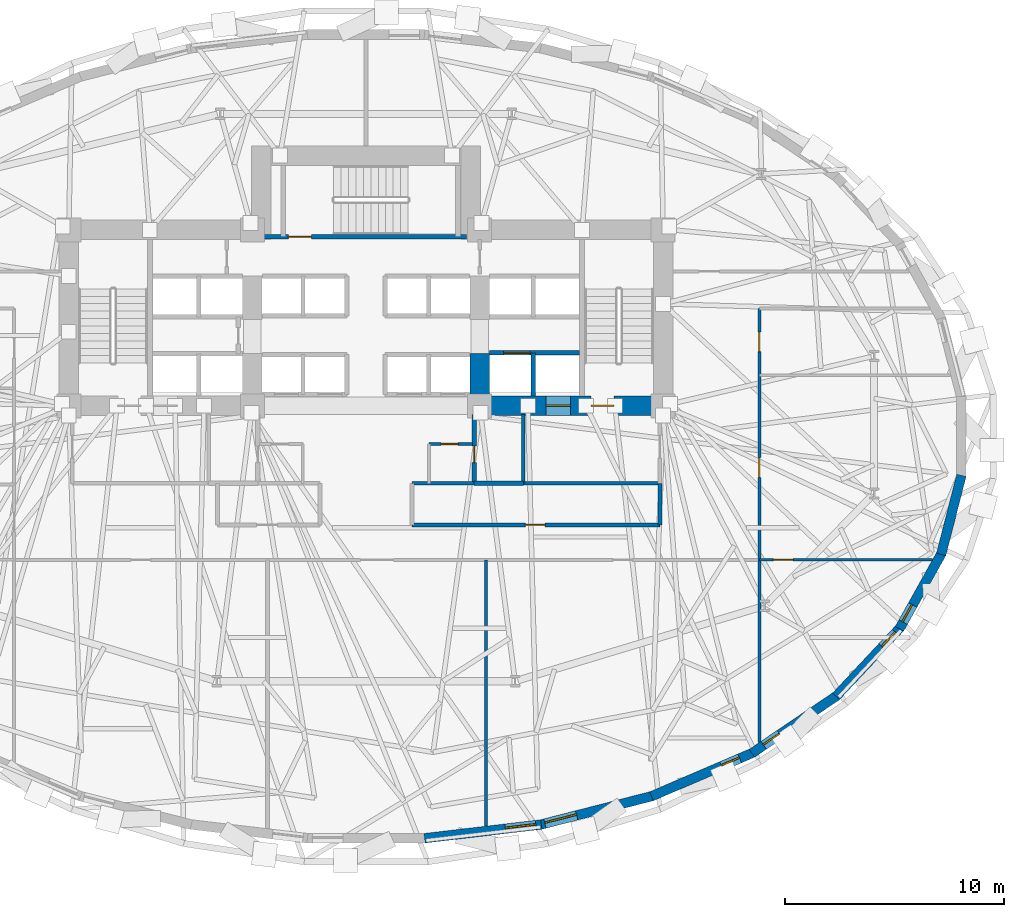
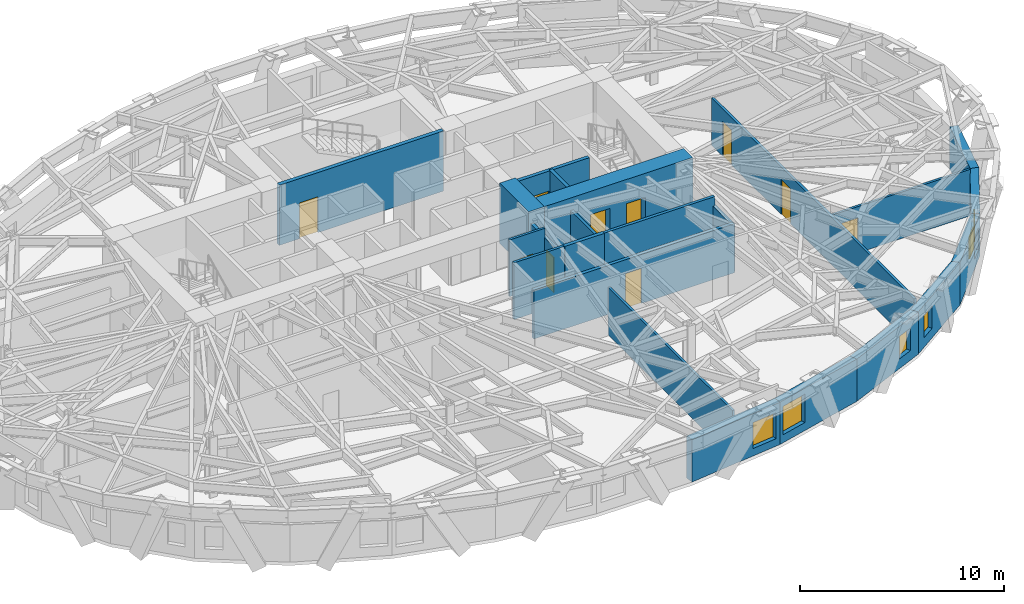
# One storey, part 8 of 14: 23 walls, 10 doors, 6 windows, 16 openings.
"""IFC4 building model written with IfcOpenShell, lengths in metres."""

from ifc_helpers import new_model, si_unit, direction, frame, frame_2d, origin, place, context, subcontext, project, spatial, rectangle, extrude, material, layer, layer_set, type_object, element, fill, save


model = new_model("IFC4")

# Units and contexts
model_context = context("Model", 3, precision=1e-05, world=origin(), true_north=direction((0.0, 1.0)))
body_context = subcontext(model_context, "Body", "Model", "MODEL_VIEW")
ifc_project = project(units=[si_unit("LENGTHUNIT", "METRE"), si_unit("AREAUNIT", "SQUARE_METRE"), si_unit("VOLUMEUNIT", "CUBIC_METRE"), si_unit("PLANEANGLEUNIT", "RADIAN"), si_unit("MASSUNIT", "GRAM", prefix="KILO")], contexts=[model_context])

# Site, building, storey
site_placement = place(None, origin())
site = spatial("IfcSite", under=ifc_project, at=site_placement, CompositionType="ELEMENT")
building_placement = place(site_placement, origin())
building = spatial("IfcBuilding", under=site, at=building_placement, Name="Keldmark Tower", CompositionType="ELEMENT")
storey_placement = place(building_placement, frame((0.0, 0.0, 52.199951171875)))
storey = spatial("IfcBuildingStorey", under=building, at=storey_placement, Name="L13", CompositionType="ELEMENT", Elevation=52.199951171875)

# Wall, openings, doors
ifc_material_1 = material(Name="Acoustic Double-Layer Gypsum Corridor Partition", Category="gypsum")
ifc_layer_1 = layer(ifc_material_1, 0.139892578125)
ifc_layer_set_1 = layer_set([ifc_layer_1], Name="Acoustic Double-Layer Gypsum Corridor Partition")
wall_type_1 = type_object("IfcWallType", Name="Acoustic Corridor Partition 140 mm", PredefinedType="PARTITIONING", material=ifc_layer_set_1)
wall_1_placement = place(storey_placement, frame((18.0, -13.999755859375, 0.0), z_axis=(0.0, 0.0, 1.0), x_axis=(0.0, 1.0, 0.0)))
wall_1 = element("IfcWall", 1, at=wall_1_placement, inside=storey, type_object=wall_type_1, Name="L13 Acoustic Corridor Partition 140 mm COR-E", PredefinedType="PARTITIONING", context=body_context, shape_type="SweptSolid", body=[
    extrude(rectangle(XDim=19.849853515625, YDim=0.139892578125, at=frame_2d((9.9248046875, 0.0))), origin(), (0.0, 0.0, 1.0), 2.841064453125),
])
opening_1_placement = place(wall_1_placement, frame((12.12451171875, 0.0, 0.0)))
opening_1 = element("IfcOpeningElement", 2, at=opening_1_placement, cuts=wall_1, Name="Opening D-IN090", PredefinedType="OPENING", context=body_context, shape_type="SweptSolid", body=[
    extrude(rectangle(XDim=0.89990234375, YDim=2.10009765625, at=frame_2d((0.449951171875, 1.050048828125))), frame((0.0, 0.079833984375, 0.0), z_axis=(0.0, -1.0, 0.0), x_axis=(1.0, 0.0, 0.0)), (0.0, 0.0, 1.0), 0.159912109375),
])
opening_2_placement = place(wall_1_placement, frame((17.87451171875, 0.0, 0.0)))
opening_2 = element("IfcOpeningElement", 3, at=opening_2_placement, cuts=wall_1, Name="Opening D-IN090", PredefinedType="OPENING", context=body_context, shape_type="SweptSolid", body=[
    extrude(rectangle(XDim=0.89990234375, YDim=2.10009765625, at=frame_2d((0.449951171875, 1.050048828125))), frame((0.0, 0.079833984375, 0.0), z_axis=(0.0, -1.0, 0.0), x_axis=(1.0, 0.0, 0.0)), (0.0, 0.0, 1.0), 0.159912109375),
])
ifc_material_2 = material(Name="Stained American White Oak Veneer", Category="wood")
door_type_1 = type_object("IfcDoorType", Name="Interior Door 900x2100", OperationType="NOTDEFINED", PredefinedType="DOOR", material=ifc_material_2)
door_1_placement = place(opening_1_placement, origin())
door_1 = element("IfcDoor", 4, at=door_1_placement, inside=storey, type_object=door_type_1, Name="L13 Interior Door 900x2100 D-ER-1-L13", OperationType="SINGLE_SWING_RIGHT", OverallHeight=2.10009765625, OverallWidth=0.89990234375, PredefinedType="DOOR", context=body_context, shape_type="SweptSolid", body=[
    extrude(rectangle(XDim=0.89990234375, YDim=2.10009765625, at=frame_2d((0.449951171875, 1.050048828125))), frame((0.0, 0.02490234375, 0.0), z_axis=(0.0, -1.0, 0.0), x_axis=(1.0, 0.0, 0.0)), (0.0, 0.0, 1.0), 0.050048828125),
])
fill(opening_1, door_1)
door_2_placement = place(opening_2_placement, origin())
door_2 = element("IfcDoor", 5, at=door_2_placement, inside=storey, type_object=door_type_1, Name="L13 Interior Door 900x2100 D-ER-2-L13", OperationType="SINGLE_SWING_LEFT", OverallHeight=2.10009765625, OverallWidth=0.89990234375, PredefinedType="DOOR", context=body_context, shape_type="SweptSolid", body=[
    extrude(rectangle(XDim=0.89990234375, YDim=2.10009765625, at=frame_2d((0.449951171875, 1.050048828125))), frame((0.0, 0.02490234375, 0.0), z_axis=(0.0, -1.0, 0.0), x_axis=(1.0, 0.0, 0.0)), (0.0, 0.0, 1.0), 0.050048828125),
])
fill(opening_2, door_2)

# Wall, opening, door
ifc_material_3 = material(Name="Heavy Acoustic Plumbing Chase Gypsum Assembly", Category="gypsum")
ifc_layer_2 = layer(ifc_material_3, 0.18994140625)
ifc_layer_set_2 = layer_set([ifc_layer_2], Name="Heavy Acoustic Plumbing Chase Gypsum Assembly")
wall_type_2 = type_object("IfcWallType", Name="Heavy Wet Wall 190 mm", PredefinedType="PLUMBINGWALL", material=ifc_layer_set_2)
wall_2_placement = place(storey_placement, frame((2.10009765625, -4.050048828125, 0.0), z_axis=(0.0, 0.0, 1.0), x_axis=(1.0, 0.0, 0.0)))
wall_2 = element("IfcWall", 6, at=wall_2_placement, inside=storey, type_object=wall_type_2, Name="L13 Heavy Wet Wall 190 mm SPK-E-S", PredefinedType="PLUMBINGWALL", context=body_context, shape_type="SweptSolid", body=[
    extrude(rectangle(XDim=11.349853515625, YDim=0.18994140625, at=frame_2d((5.6748046875, 0.0))), origin(), (0.0, 0.0, 1.0), 2.93310546875),
])
opening_3_placement = place(wall_2_placement, frame((5.199951171875, 0.0, 0.0)))
opening_3 = element("IfcOpeningElement", 7, at=opening_3_placement, cuts=wall_2, Name="Opening D-IN090", PredefinedType="OPENING", context=body_context, shape_type="SweptSolid", body=[
    extrude(rectangle(XDim=0.89990234375, YDim=2.10009765625, at=frame_2d((0.449951171875, 1.050048828125))), frame((0.0, 0.10498046875, 0.0), z_axis=(0.0, -1.0, 0.0), x_axis=(1.0, 0.0, 0.0)), (0.0, 0.0, 1.0), 0.2099609375),
])
door_3_placement = place(opening_3_placement, origin())
door_3 = element("IfcDoor", 8, at=door_3_placement, inside=storey, type_object=door_type_1, Name="L13 Interior Door 900x2100 D-SPKE1-L13", OperationType="SINGLE_SWING_RIGHT", OverallHeight=2.10009765625, OverallWidth=0.89990234375, PredefinedType="DOOR", context=body_context, shape_type="SweptSolid", body=[
    extrude(rectangle(XDim=0.89990234375, YDim=2.10009765625, at=frame_2d((0.449951171875, 1.050048828125))), frame((0.0, 0.02490234375, 0.0), z_axis=(0.0, -1.0, 0.0), x_axis=(1.0, 0.0, 0.0)), (0.0, 0.0, 1.0), 0.050048828125),
])
fill(opening_3, door_3)

# Wall
wall_3_placement = place(storey_placement, frame((13.449951171875, -4.050048828125, 0.0), z_axis=(0.0, 0.0, 1.0), x_axis=(0.0, 1.0, 0.0)))
element("IfcWall", 9, at=wall_3_placement, inside=storey, type_object=wall_type_2, Name="L13 Heavy Wet Wall 190 mm SPK-E-E", PredefinedType="PLUMBINGWALL", context=body_context, shape_type="SweptSolid", body=[
    extrude(rectangle(XDim=1.900146484375, YDim=0.18994140625, at=frame_2d((0.9501953125, 0.0))), origin(), (0.0, 0.0, 1.0), 2.85302734375),
])

# Wall, opening, door
ifc_material_4 = material(Name="Acoustic Gypsum Board Interior Partition", Category="gypsum")
ifc_layer_3 = layer(ifc_material_4, 0.1298828125)
ifc_layer_set_3 = layer_set([ifc_layer_3], Name="Acoustic Gypsum Board Interior Partition")
wall_type_3 = type_object("IfcWallType", Name="Interior Partition 130 mm", PredefinedType="PARTITIONING", material=ifc_layer_set_3)
wall_4_placement = place(storey_placement, frame((2.889892578125, -0.35009765625, 0.0), z_axis=(0.0, 0.0, 1.0), x_axis=(1.0, 0.0, 0.0)))
wall_4 = element("IfcWall", 10, at=wall_4_placement, inside=storey, type_object=wall_type_3, Name="L13 Interior Partition 130 mm CSC-E-N", PredefinedType="PARTITIONING", context=body_context, shape_type="SweptSolid", body=[
    extrude(rectangle(XDim=1.989990234375, YDim=0.1298828125, at=frame_2d((0.9951171875, 0.0))), origin(), (0.0, 0.0, 1.0), 3.400146484375),
])
opening_4_placement = place(wall_4_placement, frame((0.550048828125, 0.0, 0.0)))
opening_4 = element("IfcOpeningElement", 11, at=opening_4_placement, cuts=wall_4, Name="Opening D-CL078", PredefinedType="OPENING", context=body_context, shape_type="SweptSolid", body=[
    extrude(rectangle(XDim=0.780029296875, YDim=2.10009765625, at=frame_2d((0.39013671875, 1.050048828125))), frame((0.0, 0.074951171875, 0.0), z_axis=(0.0, -1.0, 0.0), x_axis=(1.0, 0.0, 0.0)), (0.0, 0.0, 1.0), 0.14990234375),
])
ifc_material_5 = material(Name="Flush Utility Closet Timber Door", Category="wood")
door_type_2 = type_object("IfcDoorType", Name="Closet Door 780x2100", OperationType="NOTDEFINED", PredefinedType="DOOR", material=ifc_material_5)
door_4_placement = place(opening_4_placement, origin())
door_4 = element("IfcDoor", 12, at=door_4_placement, inside=storey, type_object=door_type_2, Name="L13 Closet Door 780x2100 D-CSCE1-L13", OperationType="SINGLE_SWING_RIGHT", OverallHeight=2.10009765625, OverallWidth=0.780029296875, PredefinedType="DOOR", context=body_context, shape_type="SweptSolid", body=[
    extrude(rectangle(XDim=0.780029296875, YDim=2.10009765625, at=frame_2d((0.39013671875, 1.050048828125))), frame((0.0, 0.02490234375, 0.0), z_axis=(0.0, -1.0, 0.0), x_axis=(1.0, 0.0, 0.0)), (0.0, 0.0, 1.0), 0.050048828125),
])
fill(opening_4, door_4)

# Wall
wall_5_placement = place(storey_placement, frame((5.5, -17.83154296875, 0.0), z_axis=(0.0, 0.0, 1.0), x_axis=(0.0, 1.0, 0.0)))
element("IfcWall", 13, at=wall_5_placement, inside=storey, type_object=wall_type_3, Name="L13 Interior Partition 130 mm S-DIV-2", PredefinedType="PARTITIONING", context=body_context, shape_type="SweptSolid", body=[
    extrude(rectangle(XDim=12.181640625, YDim=0.1298828125, at=frame_2d((6.0908203125, 0.0))), origin(), (0.0, 0.0, 1.0), 2.85302734375),
])

# Wall, opening, door
wall_6_placement = place(storey_placement, frame((18.0, -5.64990234375, 0.0), z_axis=(0.0, 0.0, 1.0), x_axis=(1.0, 0.0, 0.0)))
wall_6 = element("IfcWall", 14, at=wall_6_placement, inside=storey, type_object=wall_type_3, Name="L13 Interior Partition 130 mm E-CAP-S", PredefinedType="PARTITIONING", context=body_context, shape_type="SweptSolid", body=[
    extrude(rectangle(XDim=7.91650390625, YDim=0.1298828125, at=frame_2d((3.958251953125, 0.0))), origin(), (0.0, 0.0, 1.0), 2.779052734375),
])
opening_5_placement = place(wall_6_placement, frame((0.64990234375, 0.0, 0.0)))
opening_5 = element("IfcOpeningElement", 15, at=opening_5_placement, cuts=wall_6, Name="Opening D-IN090", PredefinedType="OPENING", context=body_context, shape_type="SweptSolid", body=[
    extrude(rectangle(XDim=0.89990234375, YDim=2.10009765625, at=frame_2d((0.449951171875, 1.050048828125))), frame((0.0, 0.074951171875, 0.0), z_axis=(0.0, -1.0, 0.0), x_axis=(1.0, 0.0, 0.0)), (0.0, 0.0, 1.0), 0.14990234375),
])
door_5_placement = place(opening_5_placement, origin())
door_5 = element("IfcDoor", 16, at=door_5_placement, inside=storey, type_object=door_type_1, Name="L13 Interior Door 900x2100 D-ERSE-L13", OperationType="SINGLE_SWING_RIGHT", OverallHeight=2.10009765625, OverallWidth=0.89990234375, PredefinedType="DOOR", context=body_context, shape_type="SweptSolid", body=[
    extrude(rectangle(XDim=0.89990234375, YDim=2.10009765625, at=frame_2d((0.449951171875, 1.050048828125))), frame((0.0, 0.02490234375, 0.0), z_axis=(0.0, -1.0, 0.0), x_axis=(1.0, 0.0, 0.0)), (0.0, 0.0, 1.0), 0.050048828125),
])
fill(opening_5, door_5)

# Wall, openings, doors
ifc_material_6 = material(Name="Concrete C70/85", Category="concrete")
ifc_layer_4 = layer(ifc_material_6, 0.89990234375)
ifc_layer_set_4 = layer_set([ifc_layer_4], Name="Concrete C70/85")
wall_type_4 = type_object("IfcWallType", Name="Lower Core Shear Wall 900 mm", PredefinedType="SHEAR", material=ifc_layer_set_4)
wall_7_placement = place(storey_placement, frame((14.050048828125, 1.39990234375, 0.0), z_axis=(0.0, 0.0, 1.0), x_axis=(-1.0, 0.0, 0.0)))
wall_7 = element("IfcWall", 17, at=wall_7_placement, inside=storey, type_object=wall_type_4, Name="L13 East Core South Shear Wall", PredefinedType="SHEAR", context=body_context, shape_type="SweptSolid", body=[
    extrude(rectangle(XDim=9.300048828125, YDim=0.89990234375, at=frame_2d((4.64990234375, 0.0))), origin(), (0.0, 0.0, 1.0), 3.60009765625),
])
opening_6_placement = place(wall_7_placement, frame((2.699951171875, 0.0, 0.0)))
opening_6 = element("IfcOpeningElement", 18, at=opening_6_placement, cuts=wall_7, Name="Opening D-ST105", PredefinedType="OPENING", context=body_context, shape_type="SweptSolid", body=[
    extrude(rectangle(XDim=1.050048828125, YDim=2.14990234375, at=frame_2d((0.52490234375, 1.074951171875))), frame((0.0, 0.4599609375, 0.0), z_axis=(0.0, -1.0, 0.0), x_axis=(1.0, 0.0, 0.0)), (0.0, 0.0, 1.0), 0.919921875),
])
opening_7_placement = place(wall_7_placement, frame((4.699951171875, 0.0, 0.0)))
opening_7 = element("IfcOpeningElement", 19, at=opening_7_placement, cuts=wall_7, Name="Opening LD-110", PredefinedType="OPENING", context=body_context, shape_type="SweptSolid", body=[
    extrude(rectangle(XDim=1.10009765625, YDim=2.199951171875, at=frame_2d((0.550048828125, 1.10009765625))), frame((0.0, 0.4599609375, 0.0), z_axis=(0.0, -1.0, 0.0), x_axis=(1.0, 0.0, 0.0)), (0.0, 0.0, 1.0), 0.919921875),
])
ifc_material_7 = material(Name="Brushed Bronze Hoistway Sliding Leaf", Category="metal")
door_type_3 = type_object("IfcDoorType", Name="Lift Landing Sliding Door 1100x2200", OperationType="SLIDING_TO_LEFT", PredefinedType="DOOR", material=ifc_material_7)
door_6_placement = place(opening_7_placement, origin())
door_6 = element("IfcDoor", 20, at=door_6_placement, inside=storey, type_object=door_type_3, Name="L13 Lift Landing Sliding Door 1100x2200 LD-EL-FS2-L13", OperationType="SLIDING_TO_LEFT", OverallHeight=2.199951171875, OverallWidth=1.10009765625, PredefinedType="DOOR", context=body_context, shape_type="SweptSolid", body=[
    extrude(rectangle(XDim=1.10009765625, YDim=2.199951171875, at=frame_2d((0.550048828125, 1.10009765625))), frame((0.0, 0.02490234375, 0.0), z_axis=(0.0, -1.0, 0.0), x_axis=(1.0, 0.0, 0.0)), (0.0, 0.0, 1.0), 0.050048828125),
])
fill(opening_7, door_6)
ifc_material_8 = material(Name="Hollow Metal Fire-Rated Door Assembly", Category="metal")
door_type_4 = type_object("IfcDoorType", Name="Stair Fire Door 1050x2150", OperationType="NOTDEFINED", PredefinedType="DOOR", material=ifc_material_8)
door_7_placement = place(opening_6_placement, origin())
door_7 = element("IfcDoor", 21, at=door_7_placement, inside=storey, type_object=door_type_4, Name="L13 Stair Fire Door 1050x2150 D-ST2-L13", OperationType="SINGLE_SWING_LEFT", OverallHeight=2.14990234375, OverallWidth=1.050048828125, PredefinedType="DOOR", context=body_context, shape_type="SweptSolid", body=[
    extrude(rectangle(XDim=1.050048828125, YDim=2.14990234375, at=frame_2d((0.52490234375, 1.074951171875))), frame((0.0, 0.02490234375, 0.0), z_axis=(0.0, -1.0, 0.0), x_axis=(1.0, 0.0, 0.0)), (0.0, 0.0, 1.0), 0.050048828125),
])
fill(opening_6, door_7)

# Walls
wall_8_placement = place(storey_placement, frame((5.199951171875, 0.949951171875, 0.0), z_axis=(0.0, 0.0, 1.0), x_axis=(0.0, 1.0, 0.0)))
element("IfcWall", 22, at=wall_8_placement, inside=storey, type_object=wall_type_4, Name="L13 East Core Inner Shear Pier South", PredefinedType="SHEAR", context=body_context, shape_type="SweptSolid", body=[
    extrude(rectangle(XDim=2.85009765625, YDim=0.89990234375, at=frame_2d((1.425048828125, 0.0))), origin(), (0.0, 0.0, 1.0), 3.60009765625),
])
ifc_material_9 = material(Name="Type X Fire-Rated Gypsum Partition Assembly", Category="gypsum")
ifc_layer_5 = layer(ifc_material_9, 0.1650390625)
ifc_layer_set_5 = layer_set([ifc_layer_5], Name="Type X Fire-Rated Gypsum Partition Assembly")
wall_type_5 = type_object("IfcWallType", Name="Rated Partition 165 mm", PredefinedType="PARTITIONING", material=ifc_layer_set_5)
wall_9_placement = place(storey_placement, frame((7.199951171875, -2.14990234375, 0.0), z_axis=(0.0, 0.0, 1.0), x_axis=(1.0, 0.0, 0.0)))
element("IfcWall", 23, at=wall_9_placement, inside=storey, type_object=wall_type_5, Name="L13 Rated Partition 165 mm FSAE-E-S", PredefinedType="PARTITIONING", context=body_context, shape_type="SweptSolid", body=[
    extrude(rectangle(XDim=6.25, YDim=0.1650390625, at=frame_2d((3.125, 0.0))), origin(), (0.0, 0.0, 1.0), 3.400146484375),
])
wall_10_placement = place(storey_placement, frame((7.199951171875, -2.14990234375, 0.0), z_axis=(0.0, 0.0, 1.0), x_axis=(0.0, 1.0, 0.0)))
element("IfcWall", 24, at=wall_10_placement, inside=storey, type_object=wall_type_5, Name="L13 Rated Partition 165 mm FSAE-E-W", PredefinedType="PARTITIONING", context=body_context, shape_type="SweptSolid", body=[
    extrude(rectangle(XDim=3.14990234375, YDim=0.1650390625, at=frame_2d((1.574951171875, 0.0))), origin(), (0.0, 0.0, 1.0), 2.85302734375),
])
ifc_material_10 = material(Name="Fire-Resistant Type X Gypsum Shaftliner Coreboard", Category="gypsum")
ifc_layer_6 = layer(ifc_material_10, 0.199951171875)
ifc_layer_set_6 = layer_set([ifc_layer_6], Name="Fire-Resistant Type X Gypsum Shaftliner Coreboard")
wall_type_6 = type_object("IfcWallType", Name="Shaft Wall 200 mm", PredefinedType="SOLIDWALL", material=ifc_layer_set_6)
wall_11_placement = place(storey_placement, frame((4.949951171875, -2.14990234375, 0.0), z_axis=(0.0, 0.0, 1.0), x_axis=(1.0, 0.0, 0.0)))
element("IfcWall", 25, at=wall_11_placement, inside=storey, type_object=wall_type_6, Name="L13 Shaft Wall 200 mm RIS-SE-S", PredefinedType="SOLIDWALL", context=body_context, shape_type="SweptSolid", body=[
    extrude(rectangle(XDim=2.25, YDim=0.199951171875, at=frame_2d((1.125, 0.0))), origin(), (0.0, 0.0, 1.0), 3.400146484375),
])

# Wall, opening, door
wall_12_placement = place(storey_placement, frame((4.949951171875, -2.14990234375, 0.0), z_axis=(0.0, 0.0, 1.0), x_axis=(0.0, 1.0, 0.0)))
wall_12 = element("IfcWall", 26, at=wall_12_placement, inside=storey, type_object=wall_type_6, Name="L13 Shaft Wall 200 mm RIS-SE-W", PredefinedType="SOLIDWALL", context=body_context, shape_type="SweptSolid", body=[
    extrude(rectangle(XDim=3.14990234375, YDim=0.199951171875, at=frame_2d((1.574951171875, 0.0))), origin(), (0.0, 0.0, 1.0), 2.85302734375),
])
opening_8_placement = place(wall_12_placement, frame((0.949951171875, 0.0, 0.0)))
opening_8 = element("IfcOpeningElement", 27, at=opening_8_placement, cuts=wall_12, Name="Opening D-RS075", PredefinedType="OPENING", context=body_context, shape_type="SweptSolid", body=[
    extrude(rectangle(XDim=0.75, YDim=2.10009765625, at=frame_2d((0.375, 1.050048828125))), frame((0.0, 0.10986328125, 0.0), z_axis=(0.0, -1.0, 0.0), x_axis=(1.0, 0.0, 0.0)), (0.0, 0.0, 1.0), 0.219970703125),
])
ifc_material_11 = material(Name="Galvanized Fire-Rated Access Leaf", Category="metal")
door_type_5 = type_object("IfcDoorType", Name="Riser Access Door 750x2100", OperationType="NOTDEFINED", PredefinedType="DOOR", material=ifc_material_11)
door_8_placement = place(opening_8_placement, origin())
door_8 = element("IfcDoor", 28, at=door_8_placement, inside=storey, type_object=door_type_5, Name="L13 Riser Access Door 750x2100 D-RISSE-L13", OperationType="SINGLE_SWING_LEFT", OverallHeight=2.10009765625, OverallWidth=0.75, PredefinedType="DOOR", context=body_context, shape_type="SweptSolid", body=[
    extrude(rectangle(XDim=0.75, YDim=2.10009765625, at=frame_2d((0.375, 1.050048828125))), frame((0.0, 0.02490234375, 0.0), z_axis=(0.0, -1.0, 0.0), x_axis=(1.0, 0.0, 0.0)), (0.0, 0.0, 1.0), 0.050048828125),
])
fill(opening_8, door_8)

wall_13_placement = place(storey_placement, frame((5.64990234375, 3.820068359375, 0.0), z_axis=(0.0, 0.0, 1.0), x_axis=(1.0, 0.0, 0.0)))
wall_13 = element("IfcWall", 29, at=wall_13_placement, inside=storey, type_object=wall_type_6, Name="L13 Shaft Wall 200 mm HW-E-S", PredefinedType="SOLIDWALL", context=body_context, shape_type="SweptSolid", body=[
    extrude(rectangle(XDim=4.130126953125, YDim=0.199951171875, at=frame_2d((2.06494140625, 0.0))), origin(), (0.0, 0.0, 1.0), 3.400146484375),
])
opening_9_placement = place(wall_13_placement, frame((0.64990234375, 0.0, 0.0)))
opening_9 = element("IfcOpeningElement", 30, at=opening_9_placement, cuts=wall_13, Name="Opening LD-120", PredefinedType="OPENING", context=body_context, shape_type="SweptSolid", body=[
    extrude(rectangle(XDim=1.199951171875, YDim=2.199951171875, at=frame_2d((0.60009765625, 1.10009765625))), frame((0.0, 0.10986328125, 0.0), z_axis=(0.0, -1.0, 0.0), x_axis=(1.0, 0.0, 0.0)), (0.0, 0.0, 1.0), 0.219970703125),
])
ifc_material_12 = material(Name="Heavy-Duty Brushed Metal Hoistway Sliding Leaf", Category="metal")
door_type_6 = type_object("IfcDoorType", Name="Service Lift Sliding Door 1200x2200", OperationType="SLIDING_TO_RIGHT", PredefinedType="DOOR", material=ifc_material_12)
door_9_placement = place(opening_9_placement, origin())
door_9 = element("IfcDoor", 31, at=door_9_placement, inside=storey, type_object=door_type_6, Name="L13 Service Lift Sliding Door 1200x2200 LD-EL-SV1-L13", OperationType="SLIDING_TO_RIGHT", OverallHeight=2.199951171875, OverallWidth=1.199951171875, PredefinedType="DOOR", context=body_context, shape_type="SweptSolid", body=[
    extrude(rectangle(XDim=1.199951171875, YDim=2.199951171875, at=frame_2d((0.60009765625, 1.10009765625))), frame((0.0, 0.02490234375, 0.0), z_axis=(0.0, -1.0, 0.0), x_axis=(1.0, 0.0, 0.0)), (0.0, 0.0, 1.0), 0.050048828125),
])
fill(opening_9, door_9)

# Wall
wall_14_placement = place(storey_placement, frame((7.64990234375, 1.85009765625, 0.0), z_axis=(0.0, 0.0, 1.0), x_axis=(0.0, 1.0, 0.0)))
element("IfcWall", 32, at=wall_14_placement, inside=storey, type_object=wall_type_6, Name="L13 Shaft Wall 200 mm HW-E-M", PredefinedType="SOLIDWALL", context=body_context, shape_type="SweptSolid", body=[
    extrude(rectangle(XDim=1.969970703125, YDim=0.199951171875, at=frame_2d((0.98486328125, 0.0))), origin(), (0.0, 0.0, 1.0), 3.400146484375),
])

# Wall, opening, door
ifc_material_13 = material(Name="Concrete C50/60", Category="concrete")
ifc_layer_7 = layer(ifc_material_13, 0.219970703125)
ifc_layer_set_7 = layer_set([ifc_layer_7], Name="Concrete C50/60")
wall_type_7 = type_object("IfcWallType", Name="Stair Core Shear Wall 220 mm", PredefinedType="SHEAR", material=ifc_layer_set_7)
wall_15_placement = place(storey_placement, frame((-4.699951171875, 9.139892578125, 0.0), z_axis=(0.0, 0.0, 1.0), x_axis=(1.0, 0.0, 0.0)))
wall_15 = element("IfcWall", 33, at=wall_15_placement, inside=storey, type_object=wall_type_7, Name="L13 Central Stair Core South Shear Wall", PredefinedType="SHEAR", context=body_context, shape_type="SweptSolid", body=[
    extrude(rectangle(XDim=9.300048828125, YDim=0.219970703125, at=frame_2d((4.64990234375, 0.0))), origin(), (0.0, 0.0, 1.0), 3.60009765625),
])
opening_10_placement = place(wall_15_placement, frame((1.14990234375, 0.0, 0.0)))
opening_10 = element("IfcOpeningElement", 34, at=opening_10_placement, cuts=wall_15, Name="Opening D-ST105", PredefinedType="OPENING", context=body_context, shape_type="SweptSolid", body=[
    extrude(rectangle(XDim=1.050048828125, YDim=2.14990234375, at=frame_2d((0.52490234375, 1.074951171875))), frame((0.0, 0.119873046875, 0.0), z_axis=(0.0, -1.0, 0.0), x_axis=(1.0, 0.0, 0.0)), (0.0, 0.0, 1.0), 0.239990234375),
])
door_10_placement = place(opening_10_placement, origin())
door_10 = element("IfcDoor", 35, at=door_10_placement, inside=storey, type_object=door_type_4, Name="L13 Stair Fire Door 1050x2150 D-ST3-L13", OperationType="SINGLE_SWING_RIGHT", OverallHeight=2.14990234375, OverallWidth=1.050048828125, PredefinedType="DOOR", context=body_context, shape_type="SweptSolid", body=[
    extrude(rectangle(XDim=1.050048828125, YDim=2.14990234375, at=frame_2d((0.52490234375, 1.074951171875))), frame((0.0, 0.02490234375, 0.0), z_axis=(0.0, -1.0, 0.0), x_axis=(1.0, 0.0, 0.0)), (0.0, 0.0, 1.0), 0.050048828125),
])
fill(opening_10, door_10)

# Wall, opening, window
ifc_material_14 = material(Name="Ironspot Manganese Brick and Kasota Buff Limestone Spandrel Assembly", Category="masonry")
ifc_layer_8 = layer(ifc_material_14, 0.43994140625)
ifc_layer_set_8 = layer_set([ifc_layer_8], Name="Ironspot Manganese Brick and Kasota Buff Limestone Spandrel Assembly")
wall_type_8 = type_object("IfcWallType", Name="Tower Brick Pier and Spandrel Wall 440 mm", PredefinedType="STANDARD", material=ifc_layer_set_8)
wall_16_placement = place(storey_placement, frame((8.024658203125, -17.76416015625, 0.0), z_axis=(0.0, 0.0, 1.0), x_axis=(-0.993159890371, -0.116762289112, 0.0)))
wall_16 = element("IfcWall", 36, at=wall_16_placement, inside=storey, type_object=wall_type_8, Name="L13 Exterior Brick and Spandrel Wall 25", PredefinedType="STANDARD", context=body_context, shape_type="SweptSolid", body=[
    extrude(rectangle(XDim=5.382080078125, YDim=0.43994140625, at=frame_2d((2.69091796875, 0.0))), origin(), (0.0, 0.0, 1.0), 2.532958984375),
])
opening_11_placement = place(wall_16_placement, frame((0.249755859375, 0.0, 0.449951171875)))
opening_11 = element("IfcOpeningElement", 37, at=opening_11_placement, cuts=wall_16, Name="Opening W-08", PredefinedType="OPENING", context=body_context, shape_type="SweptSolid", body=[
    extrude(rectangle(XDim=1.39990234375, YDim=1.550048828125, at=frame_2d((0.699951171875, 0.77490234375))), frame((0.0, 0.22998046875, 0.0), z_axis=(0.0, -1.0, 0.0), x_axis=(1.0, 0.0, 0.0)), (0.0, 0.0, 1.0), 0.4599609375),
])
ifc_material_15 = material(Name="Thermally Broken Anodized Aluminum and Triple Low-E Argon Glazing", Category="aluminium")
window_type_1 = type_object("IfcWindowType", Name="Residential Corner Punched Window 1400x1550", PartitioningType="SINGLE_PANEL", PredefinedType="WINDOW", material=ifc_material_15)
window_1_placement = place(opening_11_placement, origin())
window_1 = element("IfcWindow", 38, at=window_1_placement, inside=storey, type_object=window_type_1, Name="L13 Deep-Set Window 25", OverallHeight=1.550048828125, OverallWidth=1.39990234375, PartitioningType="SINGLE_PANEL", PredefinedType="WINDOW", context=body_context, shape_type="SweptSolid", body=[
    extrude(rectangle(XDim=1.39990234375, YDim=1.550048828125, at=frame_2d((0.699951171875, 0.77490234375))), frame((0.0, -0.010009765625, 0.0), z_axis=(0.0, -1.0, 0.0), x_axis=(1.0, 0.0, 0.0)), (0.0, 0.0, 1.0), 0.06005859375),
])
fill(opening_11, window_1)

wall_17_placement = place(storey_placement, frame((13.098876953125, -16.4619140625, 0.0), z_axis=(0.0, 0.0, 1.0), x_axis=(-0.968705592422, -0.248212560542, 0.0)))
wall_17 = element("IfcWall", 39, at=wall_17_placement, inside=storey, type_object=wall_type_8, Name="L13 Exterior Brick and Spandrel Wall 26", PredefinedType="STANDARD", context=body_context, shape_type="SweptSolid", body=[
    extrude(rectangle(XDim=5.26806640625, YDim=0.43994140625, at=frame_2d((2.634033203125, 0.0))), origin(), (0.0, 0.0, 1.0), 2.532958984375),
])
opening_12_placement = place(wall_17_placement, frame((3.568115234375, 0.0, 0.47998046875)))
opening_12 = element("IfcOpeningElement", 40, at=opening_12_placement, cuts=wall_17, Name="Opening W-03", PredefinedType="OPENING", context=body_context, shape_type="SweptSolid", body=[
    extrude(rectangle(XDim=1.5, YDim=1.699951171875, at=frame_2d((0.75, 0.85009765625))), frame((0.0, 0.22998046875, 0.0), z_axis=(0.0, -1.0, 0.0), x_axis=(1.0, 0.0, 0.0)), (0.0, 0.0, 1.0), 0.4599609375),
])
ifc_material_16 = material(Name="Thermally Broken Anodized Aluminum and Triple Low-E Argon Glazing", Category="aluminium")
window_type_2 = type_object("IfcWindowType", Name="Office Corner Deep-Set Window 1500x1700", PartitioningType="DOUBLE_PANEL_VERTICAL", PredefinedType="WINDOW", material=ifc_material_16)
window_2_placement = place(opening_12_placement, origin())
window_2 = element("IfcWindow", 41, at=window_2_placement, inside=storey, type_object=window_type_2, Name="L13 Deep-Set Window 26", OverallHeight=1.699951171875, OverallWidth=1.5, PartitioningType="SINGLE_PANEL", PredefinedType="WINDOW", context=body_context, shape_type="SweptSolid", body=[
    extrude(rectangle(XDim=1.5, YDim=1.699951171875, at=frame_2d((0.75, 0.85009765625))), frame((0.0, -0.010009765625, 0.0), z_axis=(0.0, -1.0, 0.0), x_axis=(1.0, 0.0, 0.0)), (0.0, 0.0, 1.0), 0.06005859375),
])
fill(opening_12, window_2)

wall_18_placement = place(storey_placement, frame((17.69970703125, -14.4833984375, 0.0), z_axis=(0.0, 0.0, 1.0), x_axis=(-0.918881850071, -0.394532819433, 0.0)))
wall_18 = element("IfcWall", 42, at=wall_18_placement, inside=storey, type_object=wall_type_8, Name="L13 Exterior Brick and Spandrel Wall 27", PredefinedType="STANDARD", context=body_context, shape_type="SweptSolid", body=[
    extrude(rectangle(XDim=5.0419921875, YDim=0.43994140625, at=frame_2d((2.52099609375, 0.0))), origin(), (0.0, 0.0, 1.0), 2.532958984375),
])
opening_13_placement = place(wall_18_placement, frame((0.64892578125, 0.0, 0.580078125)))
opening_13 = element("IfcOpeningElement", 43, at=opening_13_placement, cuts=wall_18, Name="Opening W-09", PredefinedType="OPENING", context=body_context, shape_type="SweptSolid", body=[
    extrude(rectangle(XDim=0.89990234375, YDim=1.35009765625, at=frame_2d((0.449951171875, 0.675048828125))), frame((0.0, 0.22998046875, 0.0), z_axis=(0.0, -1.0, 0.0), x_axis=(1.0, 0.0, 0.0)), (0.0, 0.0, 1.0), 0.4599609375),
])
ifc_material_17 = material(Name="Thermally Broken Anodized Aluminum and Triple Low-E Argon Glazing", Category="aluminium")
window_type_3 = type_object("IfcWindowType", Name="Corner Pier Deep-Set Window 900x1350", PartitioningType="SINGLE_PANEL", PredefinedType="WINDOW", material=ifc_material_17)
window_3_placement = place(opening_13_placement, origin())
window_3 = element("IfcWindow", 44, at=window_3_placement, inside=storey, type_object=window_type_3, Name="L13 Deep-Set Window 27", OverallHeight=1.35009765625, OverallWidth=0.89990234375, PartitioningType="SINGLE_PANEL", PredefinedType="WINDOW", context=body_context, shape_type="SweptSolid", body=[
    extrude(rectangle(XDim=0.89990234375, YDim=1.35009765625, at=frame_2d((0.449951171875, 0.675048828125))), frame((0.0, -0.010009765625, 0.0), z_axis=(0.0, -1.0, 0.0), x_axis=(1.0, 0.0, 0.0)), (0.0, 0.0, 1.0), 0.06005859375),
])
fill(opening_13, window_3)

wall_19_placement = place(storey_placement, frame((21.54931640625, -11.8701171875, 0.0), z_axis=(0.0, 0.0, 1.0), x_axis=(-0.827825981515, -0.560984976919, 0.0)))
wall_19 = element("IfcWall", 45, at=wall_19_placement, inside=storey, type_object=wall_type_8, Name="L13 Exterior Brick and Spandrel Wall 28", PredefinedType="STANDARD", context=body_context, shape_type="SweptSolid", body=[
    extrude(rectangle(XDim=4.694580078125, YDim=0.43994140625, at=frame_2d((2.34716796875, 0.0))), origin(), (0.0, 0.0, 1.0), 2.532958984375),
])
opening_14_placement = place(wall_19_placement, frame((3.145263671875, 0.0, 0.580078125)))
opening_14 = element("IfcOpeningElement", 46, at=opening_14_placement, cuts=wall_19, Name="Opening W-09", PredefinedType="OPENING", context=body_context, shape_type="SweptSolid", body=[
    extrude(rectangle(XDim=0.89990234375, YDim=1.35009765625, at=frame_2d((0.449951171875, 0.675048828125))), frame((0.0, 0.22998046875, 0.0), z_axis=(0.0, -1.0, 0.0), x_axis=(1.0, 0.0, 0.0)), (0.0, 0.0, 1.0), 0.4599609375),
])
window_4_placement = place(opening_14_placement, origin())
window_4 = element("IfcWindow", 47, at=window_4_placement, inside=storey, type_object=window_type_3, Name="L13 Deep-Set Window 28", OverallHeight=1.35009765625, OverallWidth=0.89990234375, PartitioningType="SINGLE_PANEL", PredefinedType="WINDOW", context=body_context, shape_type="SweptSolid", body=[
    extrude(rectangle(XDim=0.89990234375, YDim=1.35009765625, at=frame_2d((0.449951171875, 0.675048828125))), frame((0.0, -0.010009765625, 0.0), z_axis=(0.0, -1.0, 0.0), x_axis=(1.0, 0.0, 0.0)), (0.0, 0.0, 1.0), 0.06005859375),
])
fill(opening_14, window_4)

wall_20_placement = place(storey_placement, frame((24.44775390625, -8.7626953125, 0.0), z_axis=(0.0, 0.0, 1.0), x_axis=(-0.68299392258, -0.730424056093, 0.0)))
wall_20 = element("IfcWall", 48, at=wall_20_placement, inside=storey, type_object=wall_type_8, Name="L13 Exterior Brick and Spandrel Wall 29", PredefinedType="STANDARD", context=body_context, shape_type="SweptSolid", body=[
    extrude(rectangle(XDim=4.298095703125, YDim=0.43994140625, at=frame_2d((2.14892578125, 0.0))), origin(), (0.0, 0.0, 1.0), 2.532958984375),
])
opening_15_placement = place(wall_20_placement, frame((0.2998046875, 0.0, 0.580078125)))
opening_15 = element("IfcOpeningElement", 49, at=opening_15_placement, cuts=wall_20, Name="Opening W-09", PredefinedType="OPENING", context=body_context, shape_type="SweptSolid", body=[
    extrude(rectangle(XDim=0.89990234375, YDim=1.35009765625, at=frame_2d((0.449951171875, 0.675048828125))), frame((0.0, 0.22998046875, 0.0), z_axis=(0.0, -1.0, 0.0), x_axis=(1.0, 0.0, 0.0)), (0.0, 0.0, 1.0), 0.4599609375),
])
window_5_placement = place(opening_15_placement, origin())
window_5 = element("IfcWindow", 50, at=window_5_placement, inside=storey, type_object=window_type_3, Name="L13 Deep-Set Window 29", OverallHeight=1.35009765625, OverallWidth=0.89990234375, PartitioningType="SINGLE_PANEL", PredefinedType="WINDOW", context=body_context, shape_type="SweptSolid", body=[
    extrude(rectangle(XDim=0.89990234375, YDim=1.35009765625, at=frame_2d((0.449951171875, 0.675048828125))), frame((0.0, -0.010009765625, 0.0), z_axis=(0.0, -1.0, 0.0), x_axis=(1.0, 0.0, 0.0)), (0.0, 0.0, 1.0), 0.06005859375),
])
fill(opening_15, window_5)

wall_21_placement = place(storey_placement, frame((26.34619140625, -5.347900390625, 0.0), z_axis=(0.0, 0.0, 1.0), x_axis=(-0.487369438963, -0.873195871477, 0.0)))
wall_21 = element("IfcWall", 51, at=wall_21_placement, inside=storey, type_object=wall_type_8, Name="L13 Exterior Brick and Spandrel Wall 30", PredefinedType="STANDARD", context=body_context, shape_type="SweptSolid", body=[
    extrude(rectangle(XDim=3.9599609375, YDim=0.43994140625, at=frame_2d((1.97998046875, 0.0))), origin(), (0.0, 0.0, 1.0), 2.532958984375),
])
opening_16_placement = place(wall_21_placement, frame((2.712158203125, 0.0, 0.580078125)))
opening_16 = element("IfcOpeningElement", 52, at=opening_16_placement, cuts=wall_21, Name="Opening W-09", PredefinedType="OPENING", context=body_context, shape_type="SweptSolid", body=[
    extrude(rectangle(XDim=0.89990234375, YDim=1.35009765625, at=frame_2d((0.449951171875, 0.675048828125))), frame((0.0, 0.22998046875, 0.0), z_axis=(0.0, -1.0, 0.0), x_axis=(1.0, 0.0, 0.0)), (0.0, 0.0, 1.0), 0.4599609375),
])
window_6_placement = place(opening_16_placement, origin())
window_6 = element("IfcWindow", 53, at=window_6_placement, inside=storey, type_object=window_type_3, Name="L13 Deep-Set Window 30", OverallHeight=1.35009765625, OverallWidth=0.89990234375, PartitioningType="SINGLE_PANEL", PredefinedType="WINDOW", context=body_context, shape_type="SweptSolid", body=[
    extrude(rectangle(XDim=0.89990234375, YDim=1.35009765625, at=frame_2d((0.449951171875, 0.675048828125))), frame((0.0, -0.010009765625, 0.0), z_axis=(0.0, -1.0, 0.0), x_axis=(1.0, 0.0, 0.0)), (0.0, 0.0, 1.0), 0.06005859375),
])
fill(opening_16, window_6)

# Walls
wall_22_placement = place(storey_placement, frame((27.252685546875, -1.7783203125, 0.0), z_axis=(0.0, 0.0, 1.0), x_axis=(-0.248062710061, -0.968743976434, 0.0)))
element("IfcWall", 54, at=wall_22_placement, inside=storey, type_object=wall_type_8, Name="L13 Exterior Brick and Spandrel Wall 31", PredefinedType="STANDARD", context=body_context, shape_type="SweptSolid", body=[
    extrude(rectangle(XDim=3.739013671875, YDim=0.43994140625, at=frame_2d((1.86962890625, 0.0))), origin(), (0.0, 0.0, 1.0), 2.532958984375),
])
ifc_material_18 = material(Name="Moisture-Resistant Gypsum Plumbing Partition", Category="gypsum")
ifc_layer_9 = layer(ifc_material_18, 0.14990234375)
ifc_layer_set_9 = layer_set([ifc_layer_9], Name="Moisture-Resistant Gypsum Plumbing Partition")
wall_type_9 = type_object("IfcWallType", Name="Wet Wall 150 mm", PredefinedType="PLUMBINGWALL", material=ifc_layer_set_9)
wall_23_placement = place(storey_placement, frame((2.10009765625, -2.14990234375, 0.0), z_axis=(0.0, 0.0, 1.0), x_axis=(1.0, 0.0, 0.0)))
element("IfcWall", 55, at=wall_23_placement, inside=storey, type_object=wall_type_9, Name="L13 Wet Wall 150 mm SPK-E-N", PredefinedType="PLUMBINGWALL", context=body_context, shape_type="SweptSolid", body=[
    extrude(rectangle(XDim=2.849853515625, YDim=0.14990234375, at=frame_2d((1.4248046875, 0.0))), origin(), (0.0, 0.0, 1.0), 3.400146484375),
])

save(model, "model.ifc")
